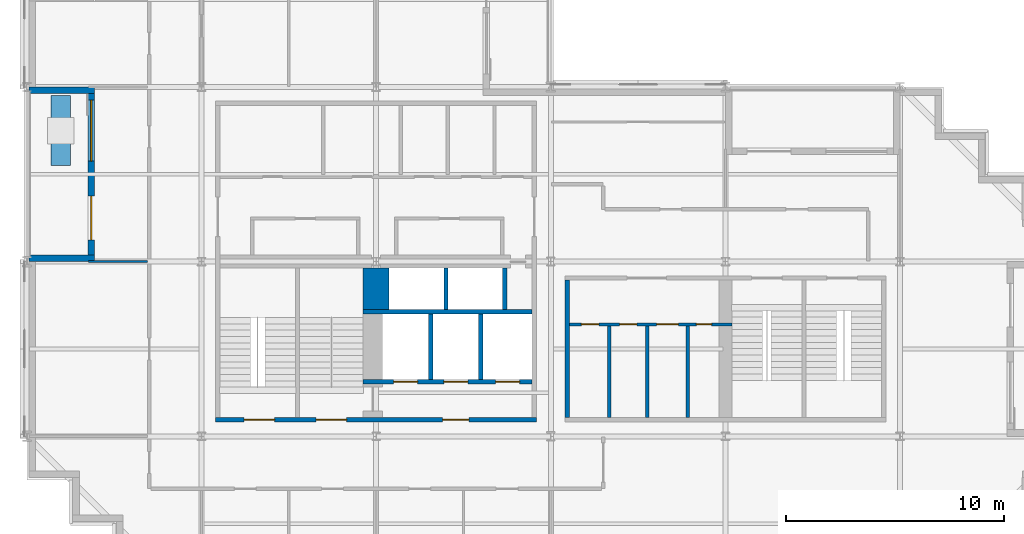
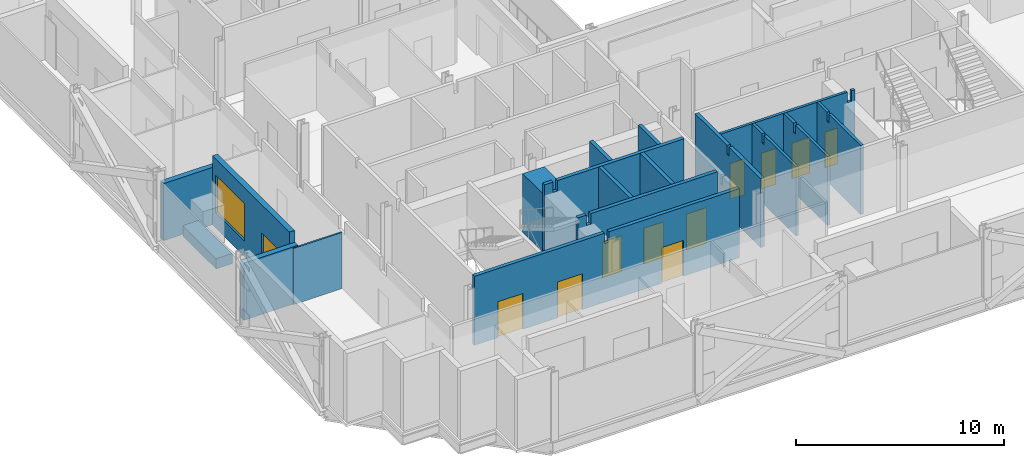
# One storey, part 5 of 13: 18 walls, 11 doors, 1 window, 12 openings.
"""IFC4 building model written with IfcOpenShell, lengths in metres."""

from ifc_helpers import new_model, si_unit, direction, frame, frame_2d, origin, place, context, subcontext, project, spatial, polyline, rectangle, outline, extrude, material, layer, layer_set, type_object, element, fill, save


model = new_model("IFC4")

# Units and contexts
model_context = context("Model", 3, precision=1e-05, world=origin(), true_north=direction((0.0, 1.0)))
body_context = subcontext(model_context, "Body", "Model", "MODEL_VIEW")
ifc_project = project(units=[si_unit("LENGTHUNIT", "METRE"), si_unit("AREAUNIT", "SQUARE_METRE"), si_unit("VOLUMEUNIT", "CUBIC_METRE"), si_unit("PLANEANGLEUNIT", "RADIAN"), si_unit("MASSUNIT", "GRAM", prefix="KILO")], contexts=[model_context])

# Site, building, storey
site_placement = place(None, origin())
site = spatial("IfcSite", under=ifc_project, at=site_placement, CompositionType="ELEMENT")
building_placement = place(site_placement, origin())
building = spatial("IfcBuilding", under=site, at=building_placement, Name="Immortelle Media Tower", CompositionType="ELEMENT")
storey_placement = place(building_placement, frame((0.0, 0.0, 128.39990234375)))
storey = spatial("IfcBuildingStorey", under=building, at=storey_placement, Name="L25", CompositionType="ELEMENT", Elevation=128.39990234375)

# Wall, openings, doors
ifc_material_1 = material(Name="Fire-rated gypsum board", Category="gypsum")
ifc_layer_1 = layer(ifc_material_1, 0.02490234375)
ifc_material_2 = material(Name="Steel ASTM A653 SS Gr 50 stud frame with mineral wool", Category="steel")
ifc_layer_2 = layer(ifc_material_2, 0.10009765625)
ifc_layer_3 = layer(ifc_material_1, 0.02490234375)
ifc_layer_set_1 = layer_set([ifc_layer_1, ifc_layer_2, ifc_layer_3], Name="Steel ASTM A653 SS Gr 50 stud frame with mineral wool")
wall_type_1 = type_object("IfcWallType", Name="Core partition 150", PredefinedType="PARTITIONING", material=ifc_layer_set_1)
wall_1_placement = place(storey_placement, frame((24.85009765625, 13.125, 0.0), z_axis=(0.0, 0.0, 1.0), x_axis=(1.0, 0.0, 0.0)))
wall_1 = element("IfcWall", 1, at=wall_1_placement, inside=storey, type_object=wall_type_1, Name="Core partition SE", PredefinedType="PARTITIONING", context=body_context, shape_type="SweptSolid", body=[
    extrude(outline(polyline([(0.0, 0.0), (7.449951171875, 0.0), (7.449951171875, 4.050048828125), (7.26953125, 4.050048828125), (7.2685546875, 3.43212890625), (7.031494140625, 3.43212890625), (7.030517578125, 4.050048828125), (0.0, 4.050048828125), (0.0, 0.0)])), frame((0.0, 0.074951171875, 0.0), z_axis=(0.0, -1.0, 0.0), x_axis=(1.0, 0.0, 0.0)), (0.0, 0.0, 1.0), 0.14990234375),
])
opening_1_placement = place(wall_1_placement, frame((1.35009765625, 0.0, 0.0), z_axis=(0.0, 0.0, 1.0), x_axis=(-1.0, 0.0, 0.0)))
opening_1 = element("IfcOpeningElement", 2, at=opening_1_placement, cuts=wall_1, Name="Opening C1-K018", PredefinedType="OPENING", context=body_context, shape_type="SweptSolid", body=[
    extrude(rectangle(XDim=0.800048828125, YDim=2.10009765625, at=frame_2d((0.39990234375, 1.050048828125))), frame((0.0, 0.0849609375, 0.0), z_axis=(0.0, -1.0, 0.0), x_axis=(1.0, 0.0, 0.0)), (0.0, 0.0, 1.0), 0.169921875),
])
opening_2_placement = place(wall_1_placement, frame((3.10009765625, 0.0, 0.0), z_axis=(0.0, 0.0, 1.0), x_axis=(-1.0, 0.0, 0.0)))
opening_2 = element("IfcOpeningElement", 3, at=opening_2_placement, cuts=wall_1, Name="Opening C1-K019", PredefinedType="OPENING", context=body_context, shape_type="SweptSolid", body=[
    extrude(rectangle(XDim=0.800048828125, YDim=2.10009765625, at=frame_2d((0.39990234375, 1.050048828125))), frame((0.0, 0.0849609375, 0.0), z_axis=(0.0, -1.0, 0.0), x_axis=(1.0, 0.0, 0.0)), (0.0, 0.0, 1.0), 0.169921875),
])
opening_3_placement = place(wall_1_placement, frame((5.0, 0.0, 0.0), z_axis=(0.0, 0.0, 1.0), x_axis=(-1.0, 0.0, 0.0)))
opening_3 = element("IfcOpeningElement", 4, at=opening_3_placement, cuts=wall_1, Name="Opening C1-K021", PredefinedType="OPENING", context=body_context, shape_type="SweptSolid", body=[
    extrude(rectangle(XDim=1.0, YDim=2.10009765625, at=frame_2d((0.5, 1.050048828125))), frame((0.0, 0.0849609375, 0.0), z_axis=(0.0, -1.0, 0.0), x_axis=(1.0, 0.0, 0.0)), (0.0, 0.0, 1.0), 0.169921875),
])
opening_4_placement = place(wall_1_placement, frame((6.52490234375, 0.0, 0.0), z_axis=(0.0, 0.0, 1.0), x_axis=(-1.0, 0.0, 0.0)))
opening_4 = element("IfcOpeningElement", 5, at=opening_4_placement, cuts=wall_1, Name="Opening C1-K022", PredefinedType="OPENING", context=body_context, shape_type="SweptSolid", body=[
    extrude(rectangle(XDim=0.699951171875, YDim=2.10009765625, at=frame_2d((0.35009765625, 1.050048828125))), frame((0.0, 0.0849609375, 0.0), z_axis=(0.0, -1.0, 0.0), x_axis=(1.0, 0.0, 0.0)), (0.0, 0.0, 1.0), 0.169921875),
])
ifc_material_3 = material(Name="Timber", Category="wood")
door_type_1 = type_object("IfcDoorType", Name="Accessible toilet door 1000 x 2100", OperationType="NOTDEFINED", PredefinedType="NOTDEFINED", material=ifc_material_3)
door_1_placement = place(opening_3_placement, origin())
door_1 = element("IfcDoor", 6, at=door_1_placement, inside=storey, type_object=door_type_1, Name="Accessible toilet C1-K021", OperationType="SINGLE_SWING_LEFT", OverallHeight=2.10009765625, OverallWidth=1.0, PredefinedType="NOTDEFINED", context=body_context, shape_type="SweptSolid", body=[
    extrude(rectangle(XDim=1.0, YDim=2.10009765625, at=frame_2d((0.5, 1.050048828125))), frame((0.0, 0.02490234375, 0.0), z_axis=(0.0, -1.0, 0.0), x_axis=(1.0, 0.0, 0.0)), (0.0, 0.0, 1.0), 0.050048828125),
])
fill(opening_3, door_1)
ifc_material_4 = material(Name="Galvanised steel door leaf and frame ASTM A653", Category="steel")
door_type_2 = type_object("IfcDoorType", Name="Service door 700 x 2100", OperationType="NOTDEFINED", PredefinedType="NOTDEFINED", material=ifc_material_4)
door_2_placement = place(opening_4_placement, origin())
door_2 = element("IfcDoor", 7, at=door_2_placement, inside=storey, type_object=door_type_2, Name="Service C1-K022", OperationType="SINGLE_SWING_RIGHT", OverallHeight=2.10009765625, OverallWidth=0.699951171875, PredefinedType="NOTDEFINED", context=body_context, shape_type="SweptSolid", body=[
    extrude(rectangle(XDim=0.699951171875, YDim=2.10009765625, at=frame_2d((0.35009765625, 1.050048828125))), frame((0.0, 0.02490234375, 0.0), z_axis=(0.0, -1.0, 0.0), x_axis=(1.0, 0.0, 0.0)), (0.0, 0.0, 1.0), 0.050048828125),
])
fill(opening_4, door_2)
door_type_3 = type_object("IfcDoorType", Name="Toilet door 800 x 2100", OperationType="NOTDEFINED", PredefinedType="NOTDEFINED", material=ifc_material_3)
door_3_placement = place(opening_1_placement, origin())
door_3 = element("IfcDoor", 8, at=door_3_placement, inside=storey, type_object=door_type_3, Name="Toilet C1-K018", OperationType="SINGLE_SWING_RIGHT", OverallHeight=2.10009765625, OverallWidth=0.800048828125, PredefinedType="NOTDEFINED", context=body_context, shape_type="SweptSolid", body=[
    extrude(rectangle(XDim=0.800048828125, YDim=2.10009765625, at=frame_2d((0.39990234375, 1.050048828125))), frame((0.0, 0.02490234375, 0.0), z_axis=(0.0, -1.0, 0.0), x_axis=(1.0, 0.0, 0.0)), (0.0, 0.0, 1.0), 0.050048828125),
])
fill(opening_1, door_3)
door_4_placement = place(opening_2_placement, origin())
door_4 = element("IfcDoor", 9, at=door_4_placement, inside=storey, type_object=door_type_3, Name="Toilet C1-K019", OperationType="SINGLE_SWING_RIGHT", OverallHeight=2.10009765625, OverallWidth=0.800048828125, PredefinedType="NOTDEFINED", context=body_context, shape_type="SweptSolid", body=[
    extrude(rectangle(XDim=0.800048828125, YDim=2.10009765625, at=frame_2d((0.39990234375, 1.050048828125))), frame((0.0, 0.02490234375, 0.0), z_axis=(0.0, -1.0, 0.0), x_axis=(1.0, 0.0, 0.0)), (0.0, 0.0, 1.0), 0.050048828125),
])
fill(opening_2, door_4)

# Walls
for number, where, z_axis, x_axis, name in (
    (10, (26.675048828125, 8.85009765625, 0.0), (0.0, 0.0, 1.0), (0.0, 1.0, 0.0), "Core partition SE"),
    (11, (28.425048828125, 8.85009765625, 0.0), (0.0, 0.0, 1.0), (0.0, 1.0, 0.0), "Core partition SE"),
    (12, (30.27490234375, 8.85009765625, 0.0), (0.0, 0.0, 1.0), (0.0, 1.0, 0.0), "Core partition SE"),
):
    element("IfcWall", number, at=place(storey_placement, frame(where, z_axis=z_axis, x_axis=x_axis)), inside=storey, type_object=wall_type_1, Name=name, PredefinedType="PARTITIONING", context=body_context, shape_type="SweptSolid", body=[
        extrude(outline(polyline([(0.0, 0.0), (4.199951171875, 0.0), (4.199951171875, 4.050048828125), (3.237548828125, 4.050048828125), (3.236572265625, 3.51806640625), (3.0634765625, 3.51806640625), (3.0625, 4.050048828125), (0.0, 4.050048828125), (0.0, 0.0)])), frame((0.0, 0.074951171875, 0.0), z_axis=(0.0, -1.0, 0.0), x_axis=(1.0, 0.0, 0.0)), (0.0, 0.0, 1.0), 0.14990234375),
    ])

# Wall, openings, doors
ifc_layer_4 = layer(ifc_material_1, 0.03759765625)
ifc_layer_5 = layer(ifc_material_2, 0.125)
ifc_layer_6 = layer(ifc_material_1, 0.03759765625)
ifc_layer_set_2 = layer_set([ifc_layer_4, ifc_layer_5, ifc_layer_6], Name="Steel ASTM A653 SS Gr 50 stud frame with mineral wool")
wall_type_2 = type_object("IfcWallType", Name="Core shaft wall 200", PredefinedType="PARTITIONING", material=ifc_layer_set_2)
wall_2_placement = place(storey_placement, frame((15.39990234375, 10.5, 0.0), z_axis=(0.0, 0.0, 1.0), x_axis=(1.0, 0.0, 0.0)))
wall_2 = element("IfcWall", 13, at=wall_2_placement, inside=storey, type_object=wall_type_2, Name="Core shaft wall SW", PredefinedType="PARTITIONING", context=body_context, shape_type="SweptSolid", body=[
    extrude(outline(polyline([(0.0, 0.0), (7.75, 0.0), (7.75, 4.050048828125), (0.719482421875, 4.050048828125), (0.718505859375, 3.43212890625), (0.4814453125, 3.43212890625), (0.48046875, 4.050048828125), (0.0, 4.050048828125), (0.0, 0.0)])), frame((0.0, 0.10009765625, 0.0), z_axis=(0.0, -1.0, 0.0), x_axis=(1.0, 0.0, 0.0)), (0.0, 0.0, 1.0), 0.199951171875),
])
opening_5_placement = place(wall_2_placement, frame((1.39990234375, 0.0, 0.0)))
opening_5 = element("IfcOpeningElement", 14, at=opening_5_placement, cuts=wall_2, Name="Opening LD", PredefinedType="OPENING", context=body_context, shape_type="SweptSolid", body=[
    extrude(rectangle(XDim=1.10009765625, YDim=2.10009765625, at=frame_2d((0.550048828125, 1.050048828125))), frame((0.0, 0.10986328125, 0.0), z_axis=(0.0, -1.0, 0.0), x_axis=(1.0, 0.0, 0.0)), (0.0, 0.0, 1.0), 0.219970703125),
])
opening_6_placement = place(wall_2_placement, frame((3.699951171875, 0.0, 0.0)))
opening_6 = element("IfcOpeningElement", 15, at=opening_6_placement, cuts=wall_2, Name="Opening LD", PredefinedType="OPENING", context=body_context, shape_type="SweptSolid", body=[
    extrude(rectangle(XDim=1.10009765625, YDim=2.10009765625, at=frame_2d((0.550048828125, 1.050048828125))), frame((0.0, 0.10986328125, 0.0), z_axis=(0.0, -1.0, 0.0), x_axis=(1.0, 0.0, 0.0)), (0.0, 0.0, 1.0), 0.219970703125),
])
opening_7_placement = place(wall_2_placement, frame((6.074951171875, 0.0, 0.0)))
opening_7 = element("IfcOpeningElement", 16, at=opening_7_placement, cuts=wall_2, Name="Opening LD", PredefinedType="OPENING", context=body_context, shape_type="SweptSolid", body=[
    extrude(rectangle(XDim=1.10009765625, YDim=2.10009765625, at=frame_2d((0.550048828125, 1.050048828125))), frame((0.0, 0.10986328125, 0.0), z_axis=(0.0, -1.0, 0.0), x_axis=(1.0, 0.0, 0.0)), (0.0, 0.0, 1.0), 0.219970703125),
])
ifc_material_5 = material(Name="Stainless steel AISI 304", Category="steel")
door_type_4 = type_object("IfcDoorType", Name="Landing door 1100 x 2100", OperationType="SLIDING_TO_LEFT", PredefinedType="NOTDEFINED", material=ifc_material_5)
door_5_placement = place(opening_5_placement, origin())
door_5 = element("IfcDoor", 17, at=door_5_placement, inside=storey, type_object=door_type_4, Name="Landing door FF1 L25", OperationType="SLIDING_TO_LEFT", OverallHeight=2.10009765625, OverallWidth=1.10009765625, PredefinedType="NOTDEFINED", context=body_context, shape_type="SweptSolid", body=[
    extrude(rectangle(XDim=1.10009765625, YDim=2.10009765625, at=frame_2d((0.550048828125, 1.050048828125))), frame((0.0, 0.02490234375, 0.0), z_axis=(0.0, -1.0, 0.0), x_axis=(1.0, 0.0, 0.0)), (0.0, 0.0, 1.0), 0.050048828125),
])
fill(opening_5, door_5)
door_6_placement = place(opening_6_placement, origin())
door_6 = element("IfcDoor", 18, at=door_6_placement, inside=storey, type_object=door_type_4, Name="Landing door FF2 L25", OperationType="SLIDING_TO_LEFT", OverallHeight=2.10009765625, OverallWidth=1.10009765625, PredefinedType="NOTDEFINED", context=body_context, shape_type="SweptSolid", body=[
    extrude(rectangle(XDim=1.10009765625, YDim=2.10009765625, at=frame_2d((0.550048828125, 1.050048828125))), frame((0.0, 0.02490234375, 0.0), z_axis=(0.0, -1.0, 0.0), x_axis=(1.0, 0.0, 0.0)), (0.0, 0.0, 1.0), 0.050048828125),
])
fill(opening_6, door_6)
door_7_placement = place(opening_7_placement, origin())
door_7 = element("IfcDoor", 19, at=door_7_placement, inside=storey, type_object=door_type_4, Name="Landing door FF3 L25", OperationType="SLIDING_TO_LEFT", OverallHeight=2.10009765625, OverallWidth=1.10009765625, PredefinedType="NOTDEFINED", context=body_context, shape_type="SweptSolid", body=[
    extrude(rectangle(XDim=1.10009765625, YDim=2.10009765625, at=frame_2d((0.550048828125, 1.050048828125))), frame((0.0, 0.02490234375, 0.0), z_axis=(0.0, -1.0, 0.0), x_axis=(1.0, 0.0, 0.0)), (0.0, 0.0, 1.0), 0.050048828125),
])
fill(opening_7, door_7)

# Walls
wall_3_placement = place(storey_placement, frame((15.39990234375, 13.699951171875, 0.0), z_axis=(0.0, 0.0, 1.0), x_axis=(1.0, 0.0, 0.0)))
element("IfcWall", 20, at=wall_3_placement, inside=storey, type_object=wall_type_2, Name="Core shaft wall SW", PredefinedType="PARTITIONING", context=body_context, shape_type="SweptSolid", body=[
    extrude(outline(polyline([(0.0, 0.0), (7.75, 0.0), (7.75, 4.050048828125), (0.719482421875, 4.050048828125), (0.718505859375, 3.43212890625), (0.4814453125, 3.43212890625), (0.48046875, 4.050048828125), (0.0, 4.050048828125), (0.0, 0.0)])), frame((0.0, 0.10009765625, 0.0), z_axis=(0.0, -1.0, 0.0), x_axis=(1.0, 0.0, 0.0)), (0.0, 0.0, 1.0), 0.199951171875),
])
wall_4_placement = place(storey_placement, frame((18.5, 10.60009765625, 0.0), z_axis=(0.0, 0.0, 1.0), x_axis=(0.0, 1.0, 0.0)))
element("IfcWall", 21, at=wall_4_placement, inside=storey, type_object=wall_type_2, Name="Core shaft wall SW", PredefinedType="PARTITIONING", context=body_context, shape_type="SweptSolid", body=[
    extrude(rectangle(XDim=3.0, YDim=0.199951171875, at=frame_2d((1.5, 0.0))), origin(), (0.0, 0.0, 1.0), 4.050048828125),
])
wall_5_placement = place(storey_placement, frame((19.199951171875, 13.800048828125, 0.0), z_axis=(0.0, 0.0, 1.0), x_axis=(0.0, 1.0, 0.0)))
element("IfcWall", 22, at=wall_5_placement, inside=storey, type_object=wall_type_2, Name="Core shaft wall SW", PredefinedType="PARTITIONING", context=body_context, shape_type="SweptSolid", body=[
    extrude(rectangle(XDim=1.89990234375, YDim=0.199951171875, at=frame_2d((0.949951171875, 0.0))), origin(), (0.0, 0.0, 1.0), 4.050048828125),
])
wall_6_placement = place(storey_placement, frame((20.800048828125, 10.60009765625, 0.0), z_axis=(0.0, 0.0, 1.0), x_axis=(0.0, 1.0, 0.0)))
element("IfcWall", 23, at=wall_6_placement, inside=storey, type_object=wall_type_2, Name="Core shaft wall SW", PredefinedType="PARTITIONING", context=body_context, shape_type="SweptSolid", body=[
    extrude(rectangle(XDim=3.0, YDim=0.199951171875, at=frame_2d((1.5, 0.0))), origin(), (0.0, 0.0, 1.0), 4.050048828125),
])
wall_7_placement = place(storey_placement, frame((21.89990234375, 13.800048828125, 0.0), z_axis=(0.0, 0.0, 1.0), x_axis=(0.0, 1.0, 0.0)))
element("IfcWall", 24, at=wall_7_placement, inside=storey, type_object=wall_type_2, Name="Core shaft wall SW", PredefinedType="PARTITIONING", context=body_context, shape_type="SweptSolid", body=[
    extrude(rectangle(XDim=1.89990234375, YDim=0.199951171875, at=frame_2d((0.949951171875, 0.0))), origin(), (0.0, 0.0, 1.0), 4.050048828125),
])
wall_8_placement = place(storey_placement, frame((24.75, 8.85009765625, 0.0), z_axis=(0.0, 0.0, 1.0), x_axis=(0.0, 1.0, 0.0)))
element("IfcWall", 25, at=wall_8_placement, inside=storey, type_object=wall_type_2, Name="Core shaft wall SE", PredefinedType="PARTITIONING", context=body_context, shape_type="SweptSolid", body=[
    extrude(outline(polyline([(0.0, 0.0), (6.2998046875, 0.0), (6.300048828125, 4.050048828125), (3.237548828125, 4.050048828125), (3.236572265625, 3.51806640625), (3.0634765625, 3.51806640625), (3.0625, 4.050048828125), (0.0, 4.050048828125), (0.0, 0.0)])), frame((0.0, 0.10009765625, 0.0), z_axis=(0.0, -1.0, 0.0), x_axis=(1.0, 0.0, 0.0)), (0.0, 0.0, 1.0), 0.199951171875),
])

# Wall, openings, door, window
ifc_material_6 = material(Name="Pale aluminium cladding panel", Category="aluminium")
ifc_layer_7 = layer(ifc_material_6, 0.030029296875)
ifc_layer_8 = layer(ifc_material_2, 0.257568359375)
ifc_material_7 = material(Name="Moisture-resistant gypsum board", Category="gypsum")
ifc_layer_9 = layer(ifc_material_7, 0.012451171875)
ifc_layer_set_3 = layer_set([ifc_layer_7, ifc_layer_8, ifc_layer_9], Name="Steel ASTM A653 SS Gr 50 stud frame with mineral wool")
wall_type_3 = type_object("IfcWallType", Name="Facade wall 300", PredefinedType="SOLIDWALL", material=ifc_layer_set_3)
wall_9_placement = place(storey_placement, frame((2.949951171875, 23.699951171875, 0.0), z_axis=(0.0, 0.0, 1.0), x_axis=(0.0, -1.0, 0.0)))
wall_9 = element("IfcWall", 26, at=wall_9_placement, inside=storey, type_object=wall_type_3, Name="Loggia wall L25 W35", PredefinedType="SOLIDWALL", context=body_context, shape_type="SweptSolid", body=[
    extrude(rectangle(XDim=7.39990234375, YDim=0.300048828125, at=frame_2d((3.699951171875, 0.0))), origin(), (0.0, 0.0, 1.0), 4.050048828125),
])
opening_8_placement = place(wall_9_placement, frame((0.300048828125, 0.0, 0.89990234375)))
opening_8 = element("IfcOpeningElement", 27, at=opening_8_placement, cuts=wall_9, Name="Opening W1", PredefinedType="OPENING", context=body_context, shape_type="SweptSolid", body=[
    extrude(rectangle(XDim=2.800048828125, YDim=2.199951171875, at=frame_2d((1.39990234375, 1.10009765625))), frame((0.0, 0.159912109375, 0.0), z_axis=(0.0, -1.0, 0.0), x_axis=(1.0, 0.0, 0.0)), (0.0, 0.0, 1.0), 0.320068359375),
])
opening_9_placement = place(wall_9_placement, frame((4.699951171875, 0.0, 0.0)))
opening_9 = element("IfcOpeningElement", 28, at=opening_9_placement, cuts=wall_9, Name="Opening C1-E008", PredefinedType="OPENING", context=body_context, shape_type="SweptSolid", body=[
    extrude(rectangle(XDim=2.0, YDim=2.39990234375, at=frame_2d((1.0, 1.199951171875))), frame((0.0, 0.159912109375, 0.0), z_axis=(0.0, -1.0, 0.0), x_axis=(1.0, 0.0, 0.0)), (0.0, 0.0, 1.0), 0.320068359375),
])
ifc_material_8 = material(Name="Aluminium frame, glazed leaves", Category="aluminium")
door_type_5 = type_object("IfcDoorType", Name="Loggia door 2000 x 2400", OperationType="DOUBLE_DOOR_SINGLE_SWING", PredefinedType="DOOR", material=ifc_material_8)
door_8_placement = place(opening_9_placement, origin())
door_8 = element("IfcDoor", 29, at=door_8_placement, inside=storey, type_object=door_type_5, Name="Door C1-E008", OperationType="DOUBLE_DOOR_SINGLE_SWING", OverallHeight=2.39990234375, OverallWidth=2.0, PredefinedType="DOOR", context=body_context, shape_type="SweptSolid", body=[
    extrude(rectangle(XDim=2.0, YDim=2.39990234375, at=frame_2d((1.0, 1.199951171875))), frame((0.0, 0.02490234375, 0.0), z_axis=(0.0, -1.0, 0.0), x_axis=(1.0, 0.0, 0.0)), (0.0, 0.0, 1.0), 0.050048828125),
])
fill(opening_9, door_8)
ifc_material_9 = material(Name="Aluminium frame", Category="aluminium")
window_type = type_object("IfcWindowType", Name="Window 2800 x 2200", PartitioningType="SINGLE_PANEL", PredefinedType="WINDOW", material=ifc_material_9)
window_placement = place(opening_8_placement, origin())
window = element("IfcWindow", 30, at=window_placement, inside=storey, type_object=window_type, Name="Window L25 L25-R35-B2", OverallHeight=2.199951171875, OverallWidth=2.800048828125, PartitioningType="SINGLE_PANEL", PredefinedType="WINDOW", context=body_context, shape_type="SweptSolid", body=[
    extrude(rectangle(XDim=2.800048828125, YDim=2.199951171875, at=frame_2d((1.39990234375, 1.10009765625))), frame((0.0, 0.030029296875, 0.0), z_axis=(0.0, -1.0, 0.0), x_axis=(1.0, 0.0, 0.0)), (0.0, 0.0, 1.0), 0.06005859375),
])
fill(opening_8, window)

# Walls
for number, where, z_axis, x_axis, name in (
    (31, (0.10009765625, 23.85009765625, 0.0), (0.0, 0.0, 1.0), (1.0, 0.0, 0.0), "Loggia cheek wall L25 W"),
    (32, (0.10009765625, 16.14990234375, 0.0), (0.0, 0.0, 1.0), (1.0, 0.0, 0.0), "Loggia cheek wall L25 W"),
):
    element("IfcWall", number, at=place(storey_placement, frame(where, z_axis=z_axis, x_axis=x_axis)), inside=storey, type_object=wall_type_3, Name=name, PredefinedType="SOLIDWALL", context=body_context, shape_type="SweptSolid", body=[
        extrude(rectangle(XDim=3.0, YDim=0.300048828125, at=frame_2d((1.5, 0.0))), origin(), (0.0, 0.0, 1.0), 3.356201171875),
    ])
ifc_material_10 = material(Name="Gypsum board", Category="gypsum")
ifc_layer_10 = layer(ifc_material_10, 0.012451171875)
ifc_layer_11 = layer(ifc_material_2, 0.074951171875)
ifc_layer_12 = layer(ifc_material_10, 0.012451171875)
ifc_layer_set_4 = layer_set([ifc_layer_10, ifc_layer_11, ifc_layer_12], Name="Steel ASTM A653 SS Gr 50 stud frame with mineral wool")
wall_type_4 = type_object("IfcWallType", Name="Partition 100", PredefinedType="PARTITIONING", material=ifc_layer_set_4)
wall_10_placement = place(storey_placement, frame((2.830078125, 16.0, 0.0), z_axis=(0.0, 0.0, 1.0), x_axis=(1.0, 0.0, 0.0)))
element("IfcWall", 33, at=wall_10_placement, inside=storey, type_object=wall_type_4, Name="Partition L25-010", PredefinedType="PARTITIONING", context=body_context, shape_type="SweptSolid", body=[
    extrude(rectangle(XDim=2.69482421875, YDim=0.10009765625, at=frame_2d((1.347412109375, 0.0))), origin(), (0.0, 0.0, 1.0), 3.2880859375),
])
ifc_layer_13 = layer(ifc_material_6, 0.0029296875)
ifc_material_11 = material(Name="Steel ASTM A572 Gr 50 planter shell", Category="steel")
ifc_layer_14 = layer(ifc_material_11, 0.011962890625)
ifc_material_12 = material(Name="Planting substrate", Category="soil")
ifc_layer_15 = layer(ifc_material_12, 0.873046875)
ifc_layer_16 = layer(ifc_material_11, 0.011962890625)
ifc_layer_set_5 = layer_set([ifc_layer_13, ifc_layer_14, ifc_layer_15, ifc_layer_16], Name="Steel ASTM A572 Gr 50 planter shell")
wall_type_5 = type_object("IfcWallType", Name="Planter wall 900", PredefinedType="SOLIDWALL", material=ifc_layer_set_5)
wall_11_placement = place(storey_placement, frame((1.550048828125, 23.60009765625, 0.0), z_axis=(0.0, 0.0, 1.0), x_axis=(0.0, -1.0, 0.0)))
element("IfcWall", 34, at=wall_11_placement, inside=storey, type_object=wall_type_5, Name="Planter L25 W2", PredefinedType="SOLIDWALL", context=body_context, shape_type="SweptSolid", body=[
    extrude(rectangle(XDim=3.2001953125, YDim=0.89990234375, at=frame_2d((1.60009765625, 0.0))), origin(), (0.0, 0.0, 1.0), 0.60009765625),
])
ifc_material_13 = material(Name="Concrete C60", Category="concrete")
ifc_layer_17 = layer(ifc_material_13, 1.199951171875)
ifc_layer_set_6 = layer_set([ifc_layer_17], Name="Concrete C60")
wall_type_6 = type_object("IfcWallType", Name="Stair shaft wall 1200", PredefinedType="PARTITIONING", material=ifc_layer_set_6)
wall_12_placement = place(storey_placement, frame((16.0, 13.800048828125, 0.0), z_axis=(0.0, 0.0, 1.0), x_axis=(0.0, 1.0, 0.0)))
element("IfcWall", 35, at=wall_12_placement, inside=storey, type_object=wall_type_6, Name="Stair shaft wall SW", PredefinedType="PARTITIONING", context=body_context, shape_type="SweptSolid", body=[
    extrude(rectangle(XDim=1.89990234375, YDim=1.199951171875, at=frame_2d((0.949951171875, 0.0))), origin(), (0.0, 0.0, 1.0), 3.43212890625),
])

# Wall, openings, doors
ifc_layer_18 = layer(ifc_material_13, 0.199951171875)
ifc_layer_set_7 = layer_set([ifc_layer_18], Name="Concrete C60")
wall_type_7 = type_object("IfcWallType", Name="Stair shaft wall 200", PredefinedType="PARTITIONING", material=ifc_layer_set_7)
wall_13_placement = place(storey_placement, frame((8.64990234375, 8.75, 0.0), z_axis=(0.0, 0.0, 1.0), x_axis=(1.0, 0.0, 0.0)))
wall_13 = element("IfcWall", 36, at=wall_13_placement, inside=storey, type_object=wall_type_7, Name="Stair shaft wall SW", PredefinedType="PARTITIONING", context=body_context, shape_type="SweptSolid", body=[
    extrude(outline(polyline([(0.0, 0.0), (14.7001953125, 0.0), (14.699951171875, 4.050048828125), (7.469482421875, 4.050048828125), (7.468505859375, 3.43212890625), (7.2314453125, 3.43212890625), (7.23046875, 4.050048828125), (0.0, 4.050048828125), (0.0, 0.0)])), frame((0.0, 0.10009765625, 0.0), z_axis=(0.0, -1.0, 0.0), x_axis=(1.0, 0.0, 0.0)), (0.0, 0.0, 1.0), 0.199951171875),
])
opening_10_placement = place(wall_13_placement, frame((1.300048828125, 0.0, 0.0)))
opening_10 = element("IfcOpeningElement", 37, at=opening_10_placement, cuts=wall_13, Name="Opening C1-K002", PredefinedType="OPENING", context=body_context, shape_type="SweptSolid", body=[
    extrude(rectangle(XDim=1.39990234375, YDim=2.10009765625, at=frame_2d((0.699951171875, 1.050048828125))), frame((0.0, 0.10986328125, 0.0), z_axis=(0.0, -1.0, 0.0), x_axis=(1.0, 0.0, 0.0)), (0.0, 0.0, 1.0), 0.219970703125),
])
opening_11_placement = place(wall_13_placement, frame((4.60009765625, 0.0, 0.0)))
opening_11 = element("IfcOpeningElement", 38, at=opening_11_placement, cuts=wall_13, Name="Opening C1-K005", PredefinedType="OPENING", context=body_context, shape_type="SweptSolid", body=[
    extrude(rectangle(XDim=1.39990234375, YDim=2.10009765625, at=frame_2d((0.699951171875, 1.050048828125))), frame((0.0, 0.10986328125, 0.0), z_axis=(0.0, -1.0, 0.0), x_axis=(1.0, 0.0, 0.0)), (0.0, 0.0, 1.0), 0.219970703125),
])
opening_12_placement = place(wall_13_placement, frame((10.39990234375, 0.0, 0.0)))
opening_12 = element("IfcOpeningElement", 39, at=opening_12_placement, cuts=wall_13, Name="Opening C1-K011", PredefinedType="OPENING", context=body_context, shape_type="SweptSolid", body=[
    extrude(rectangle(XDim=1.199951171875, YDim=2.10009765625, at=frame_2d((0.60009765625, 1.050048828125))), frame((0.0, 0.10986328125, 0.0), z_axis=(0.0, -1.0, 0.0), x_axis=(1.0, 0.0, 0.0)), (0.0, 0.0, 1.0), 0.219970703125),
])
door_type_6 = type_object("IfcDoorType", Name="Fire-fighting lobby door 1200 x 2100", OperationType="NOTDEFINED", PredefinedType="NOTDEFINED", material=ifc_material_4)
door_9_placement = place(opening_12_placement, origin())
door_9 = element("IfcDoor", 40, at=door_9_placement, inside=storey, type_object=door_type_6, Name="Fire-fighting lobby C1-K011", OperationType="SINGLE_SWING_RIGHT", OverallHeight=2.10009765625, OverallWidth=1.199951171875, PredefinedType="NOTDEFINED", context=body_context, shape_type="SweptSolid", body=[
    extrude(rectangle(XDim=1.199951171875, YDim=2.10009765625, at=frame_2d((0.60009765625, 1.050048828125))), frame((0.0, 0.02490234375, 0.0), z_axis=(0.0, -1.0, 0.0), x_axis=(1.0, 0.0, 0.0)), (0.0, 0.0, 1.0), 0.050048828125),
])
fill(opening_12, door_9)
door_type_7 = type_object("IfcDoorType", Name="Stair door 1400 x 2100", OperationType="DOUBLE_DOOR_SINGLE_SWING", PredefinedType="NOTDEFINED", material=ifc_material_4)
door_10_placement = place(opening_10_placement, origin())
door_10 = element("IfcDoor", 41, at=door_10_placement, inside=storey, type_object=door_type_7, Name="Stair C1-K002", OperationType="DOUBLE_DOOR_SINGLE_SWING", OverallHeight=2.10009765625, OverallWidth=1.39990234375, PredefinedType="NOTDEFINED", context=body_context, shape_type="SweptSolid", body=[
    extrude(rectangle(XDim=1.39990234375, YDim=2.10009765625, at=frame_2d((0.699951171875, 1.050048828125))), frame((0.0, 0.02490234375, 0.0), z_axis=(0.0, -1.0, 0.0), x_axis=(1.0, 0.0, 0.0)), (0.0, 0.0, 1.0), 0.050048828125),
])
fill(opening_10, door_10)
door_11_placement = place(opening_11_placement, origin())
door_11 = element("IfcDoor", 42, at=door_11_placement, inside=storey, type_object=door_type_7, Name="Stair C1-K005", OperationType="DOUBLE_DOOR_SINGLE_SWING", OverallHeight=2.10009765625, OverallWidth=1.39990234375, PredefinedType="NOTDEFINED", context=body_context, shape_type="SweptSolid", body=[
    extrude(rectangle(XDim=1.39990234375, YDim=2.10009765625, at=frame_2d((0.699951171875, 1.050048828125))), frame((0.0, 0.02490234375, 0.0), z_axis=(0.0, -1.0, 0.0), x_axis=(1.0, 0.0, 0.0)), (0.0, 0.0, 1.0), 0.050048828125),
])
fill(opening_11, door_11)

save(model, "model.ifc")
